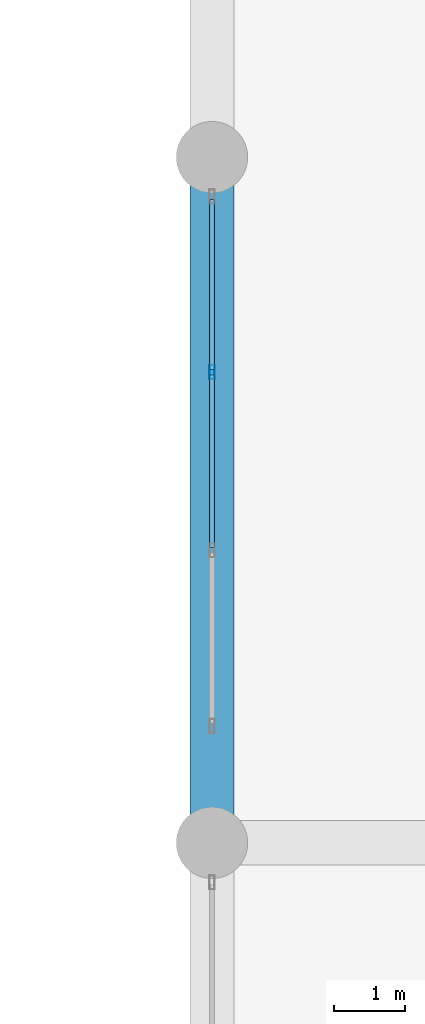
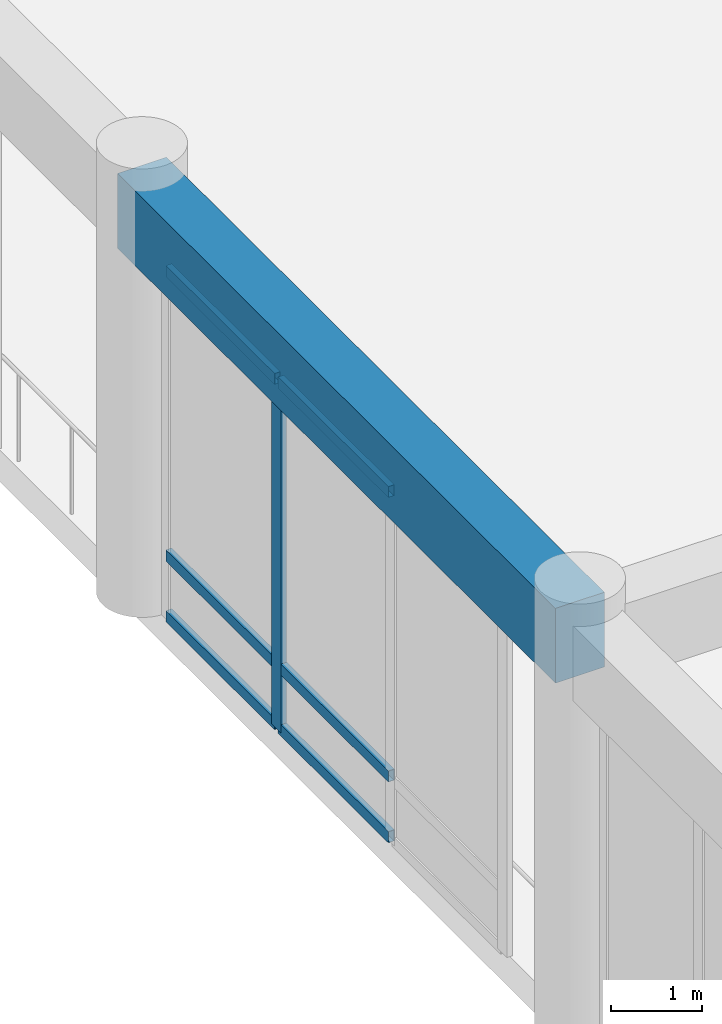
# One storey, part 26 of 87: 7 members, 1 beam, 1 element without a shape of its own.
"""IFC4 building model written with IfcOpenShell, lengths in metres."""

import ifcopenshell
import ifcopenshell.guid

model = None  # the IFC model being written
_history = None  # IfcOwnerHistory: only IFC2X3 demands one
_inside = {}  # id of a spatial element -> (the spatial element, [elements in it])
_under = {}  # id of a project, library or spatial element -> (it, [spatial elements below it])
_declared = {}  # id of a project -> (the project, [libraries it declares])
_typed = {}  # id of a type object -> (the type object, [elements of that type])
_made_of = {}  # id of a material, layer set ... -> (it, [elements and type objects made of it])


def new_model(schema):
    """Start an empty IFC model of exactly this schema.

    Asked for "IFC4X3", IfcOpenShell would pick the latest addendum, in which some entities
    have other attributes; the version numbers below select the first issue.
    IFC2X3 requires an IfcOwnerHistory on every rooted entity: one is made here for all.
    """
    global model, _history
    if schema == "IFC4X3":
        model = ifcopenshell.file(schema_version=(4, 3, 0, 0))
    else:
        model = ifcopenshell.file(schema=schema)
    _inside.clear()
    _under.clear()
    _declared.clear()
    _typed.clear()
    _made_of.clear()
    _history = None
    if model.schema == "IFC2X3":
        org = make("IfcOrganization", Name="unknown")
        user = make(
            "IfcPersonAndOrganization",
            ThePerson=make("IfcPerson", FamilyName="unknown"),
            TheOrganization=org,
        )
        app = make(
            "IfcApplication",
            ApplicationDeveloper=org,
            Version="unknown",
            ApplicationFullName="unknown",
            ApplicationIdentifier="unknown",
        )
        _history = make(
            "IfcOwnerHistory",
            OwningUser=user,
            OwningApplication=app,
            ChangeAction="ADDED",
            CreationDate=0,
        )
    return model


def make(cls, **values):
    """One entity of the class cls with the attributes given. An attribute that is None is left unset."""
    return model.create_entity(
        cls, **{name: value for name, value in values.items() if value is not None}
    )


def rooted(cls, **values):
    """An entity with a GlobalId (a new one), such as an element, a storey or a relation."""
    return make(cls, GlobalId=ifcopenshell.guid.new(), OwnerHistory=_history, **values)


def si_unit(unit_type, name, prefix=None):
    """IfcSIUnit, for example si_unit("LENGTHUNIT", "METRE", prefix="MILLI")."""
    return make("IfcSIUnit", UnitType=unit_type, Prefix=prefix, Name=name)


def assignment(units):
    """IfcUnitAssignment: the units of a project."""
    return None if units is None else make("IfcUnitAssignment", Units=units)


def point(xyz):
    """IfcCartesianPoint."""
    return None if xyz is None else make("IfcCartesianPoint", Coordinates=xyz)


def direction(xyz):
    """IfcDirection."""
    return None if xyz is None else make("IfcDirection", DirectionRatios=xyz)


def frame(location, z_axis=None, x_axis=None):
    """IfcAxis2Placement3D, a coordinate frame: its origin and axes. An axis left out is left unset."""
    return make(
        "IfcAxis2Placement3D",
        Location=point(location),
        Axis=direction(z_axis),
        RefDirection=direction(x_axis),
    )


def frame_2d(location, x_axis=None):
    """IfcAxis2Placement2D, a coordinate frame in the plane: its origin and x axis."""
    return make(
        "IfcAxis2Placement2D", Location=point(location), RefDirection=direction(x_axis)
    )


def origin():
    """The frame at (0, 0, 0) with its axes left unset."""
    return frame((0.0, 0.0, 0.0))


def origin_2d():
    """The frame at (0, 0) in the plane with its x axis left unset."""
    return frame_2d((0.0, 0.0))


def place(relative_to, where):
    """IfcLocalPlacement: puts the frame where relative to a parent placement (None: the world)."""
    return make(
        "IfcLocalPlacement", PlacementRelTo=relative_to, RelativePlacement=where
    )


def context(
    kind, dimensions, precision=None, world=None, true_north=None, identifier=None
):
    """IfcGeometricRepresentationContext, for example the 3D "Model" context."""
    return make(
        "IfcGeometricRepresentationContext",
        ContextIdentifier=identifier,
        ContextType=kind,
        CoordinateSpaceDimension=dimensions,
        Precision=precision,
        WorldCoordinateSystem=world,
        TrueNorth=true_north,
    )


def subcontext(parent, identifier, kind, view, scale=None):
    """IfcGeometricRepresentationSubContext, for example "Body" below "Model"."""
    return make(
        "IfcGeometricRepresentationSubContext",
        ContextIdentifier=identifier,
        ContextType=kind,
        ParentContext=parent,
        TargetScale=scale,
        TargetView=view,
    )


def project(units=None, contexts=None):
    """IfcProject with its units and contexts."""
    return rooted(
        "IfcProject",
        Name="project",
        RepresentationContexts=contexts,
        UnitsInContext=assignment(units),
    )


def spatial(cls, under=None, at=None, **own):
    """A site, building, storey or space (cls), placed at a placement, below another one or the project."""
    s = rooted(cls, ObjectPlacement=at, **own)
    if under is not None:
        _under.setdefault(under.id(), (under, []))[1].append(s)
    return s


def profile(cls, at=None, kind="AREA", **sizes):
    """A parametric profile (cls). Its sizes go by their IFC names, for example OverallWidth=200.0."""
    return make(cls, ProfileType=kind, Position=at, **sizes)


def rectangle(**sizes):
    """IfcRectangleProfileDef."""
    return profile("IfcRectangleProfileDef", **sizes)


def hollow_rectangle(**sizes):
    """IfcRectangleHollowProfileDef."""
    return profile("IfcRectangleHollowProfileDef", **sizes)


def extrude(swept, where, along, depth):
    """IfcExtrudedAreaSolid: the profile swept, set in the frame where, extruded along a direction by depth."""
    return make(
        "IfcExtrudedAreaSolid",
        SweptArea=swept,
        Position=where,
        ExtrudedDirection=direction(along),
        Depth=depth,
    )


def shape(context_of_items, identifier, shape_type, items):
    """IfcShapeRepresentation: the items that make up one representation, for example the "Body"."""
    return make(
        "IfcShapeRepresentation",
        ContextOfItems=context_of_items,
        RepresentationIdentifier=identifier,
        RepresentationType=shape_type,
        Items=items,
    )


def material(Name=None, Category=None):
    """IfcMaterial."""
    return make("IfcMaterial", Name=Name, Category=Category)


def layer(
    of_material, thickness, ventilated=None, Name=None, Category=None, Priority=None
):
    """IfcMaterialLayer: one layer of a wall or slab, of a material (None: an air gap)."""
    return make(
        "IfcMaterialLayer",
        Material=of_material,
        LayerThickness=thickness,
        IsVentilated=ventilated,
        Name=Name,
        Category=Category,
        Priority=Priority,
    )


def layer_set(layers, Name=None):
    """IfcMaterialLayerSet."""
    return make("IfcMaterialLayerSet", MaterialLayers=layers, LayerSetName=Name)


def material_profile(
    of_material, cross_section, Name=None, Category=None, Priority=None
):
    """IfcMaterialProfile: a cross section and its material."""
    return make(
        "IfcMaterialProfile",
        Name=Name,
        Material=of_material,
        Profile=cross_section,
        Priority=Priority,
        Category=Category,
    )


def profile_set(profiles, Name=None, composite=None):
    """IfcMaterialProfileSet."""
    return make(
        "IfcMaterialProfileSet",
        Name=Name,
        MaterialProfiles=profiles,
        CompositeProfile=composite,
    )


def made_of(thing, what):
    """Note that an element or type object is made of a material, layer set ...; save() writes the relation."""
    if what is not None:
        _made_of.setdefault(what.id(), (what, []))[1].append(thing)
    return thing


def type_object(cls, material=None, **own):
    """A type object (cls), such as IfcWallType, which elements share."""
    return made_of(rooted(cls, **own), material)


def element(
    cls,
    number,
    at=None,
    inside=None,
    cuts=None,
    type_object=None,
    material=None,
    context=None,
    identifier="Body",
    shape_type=None,
    held_by="IfcProductDefinitionShape",
    body=None,
    shapes=None,
    **own,
):
    """One element of the class cls, such as IfcWall. Its Tag is "e" and its number.

    at: its placement. inside: the storey or other place that contains it. cuts: it is an
    opening in that element (IfcRelVoidsElement). A single representation is given by context,
    identifier, shape_type and body (its items); several are given by shapes. held_by: the class
    of the entity that holds the representations. save() writes the other relations.
    """
    e = rooted(cls, Tag="e%d" % number, ObjectPlacement=at, **own)
    if body is not None:
        shapes = [shape(context, identifier, shape_type, body)]
    if shapes is not None:
        e.Representation = make(held_by, Representations=shapes)
    if inside is not None:
        _inside.setdefault(inside.id(), (inside, []))[1].append(e)
    if cuts is not None:
        rooted(
            "IfcRelVoidsElement", RelatingBuildingElement=cuts, RelatedOpeningElement=e
        )
    if type_object is not None:
        _typed.setdefault(type_object.id(), (type_object, []))[1].append(e)
    return made_of(e, material)


def aggregate(whole, parts):
    """IfcRelAggregates: a whole, such as a stair, and the parts it consists of."""
    return rooted("IfcRelAggregates", RelatingObject=whole, RelatedObjects=parts)


def save(model, path):
    """Write the relations noted so far, then the file.

    IfcRelAggregates (storeys below a building ...), IfcRelContainedInSpatialStructure (elements
    in a storey), IfcRelDefinesByType, IfcRelAssociatesMaterial and IfcRelDeclares: one each for
    every whole, place, type object, material and project.
    """
    for whole, parts in _under.values():
        aggregate(whole, parts)
    for where, things in _inside.values():
        rooted(
            "IfcRelContainedInSpatialStructure",
            RelatedElements=things,
            RelatingStructure=where,
        )
    for kind, things in _typed.values():
        rooted("IfcRelDefinesByType", RelatedObjects=things, RelatingType=kind)
    for what, things in _made_of.values():
        rooted("IfcRelAssociatesMaterial", RelatedObjects=things, RelatingMaterial=what)
    for by, libraries in _declared.values():
        rooted("IfcRelDeclares", RelatingContext=by, RelatedDefinitions=libraries)
    model.write(path)


model = new_model("IFC4")

# Units and contexts
model_context = context("Model", 3, precision=1e-05, world=origin(), true_north=direction((0.0, 1.0)))
body_context = subcontext(model_context, "Body", "Model", "MODEL_VIEW")
ifc_project = project(units=[si_unit("LENGTHUNIT", "METRE"), si_unit("AREAUNIT", "SQUARE_METRE"), si_unit("VOLUMEUNIT", "CUBIC_METRE"), si_unit("PLANEANGLEUNIT", "RADIAN"), si_unit("MASSUNIT", "GRAM", prefix="KILO")], contexts=[model_context])

# Site, building, storey
site_placement = place(None, origin())
site = spatial("IfcSite", under=ifc_project, at=site_placement, CompositionType="ELEMENT")
building_placement = place(site_placement, origin())
building = spatial("IfcBuilding", under=site, at=building_placement, Name="Nakhvara Creek Congress Hotel", CompositionType="ELEMENT")
storey_placement = place(building_placement, origin())
storey = spatial("IfcBuildingStorey", under=building, at=storey_placement, Name="L00", CompositionType="ELEMENT", Elevation=0.0)

# Beam
ifc_material_1 = material(Name="Concrete C50/60", Category="concrete")
ifc_material_profile_1 = material_profile(ifc_material_1, rectangle(XDim=0.6201171875, YDim=1.0, at=origin_2d()), Name="RC-BM 620x1000", Category="LoadBearing")
ifc_profile_set_1 = profile_set([ifc_material_profile_1], Name="Concrete C50/60")
beam_type = type_object("IfcBeamType", Name="BM-RC-620X1000", PredefinedType="BEAM", material=ifc_profile_set_1)
beam_placement = place(storey_placement, frame((124.800048828125, 52.800048828125, 5.199951171875), z_axis=(0.0, 1.0, 0.0), x_axis=(-1.0, 0.0, 0.0)))
element("IfcBeam", 1, at=beam_placement, inside=storey, type_object=beam_type, Name="Beam B16-L00-0893", PredefinedType="BEAM", context=body_context, shape_type="SweptSolid", body=[
    extrude(rectangle(XDim=0.6201171875, YDim=1.0, at=origin_2d()), origin(), (0.0, 0.0, 1.0), 9.599853515625),
])

# Curtain wall, members
ifc_material_2 = material(Name="Bronze-anodised aluminium AW-6063-T6 and double-silver low-E glass", Category="aluminium")
ifc_layer = layer(ifc_material_2, 0.199951171875)
ifc_layer_set = layer_set([ifc_layer], Name="Bronze-anodised aluminium AW-6063-T6 and double-silver low-E glass")
curtain_wall_type = type_object("IfcCurtainWallType", Name="CW-POD-STICK", PredefinedType="NOTDEFINED", material=ifc_layer_set)
curtain_wall_placement = place(storey_placement, origin())
curtain_wall = element("IfcCurtainWall", 2, at=curtain_wall_placement, inside=storey, type_object=curtain_wall_type, Name="Curtain Wall CW014", PredefinedType="NOTDEFINED")
ifc_material_3 = material(Name="Bronze-anodised aluminium AW-6063-T6", Category="aluminium")
ifc_material_profile_2 = material_profile(ifc_material_3, hollow_rectangle(XDim=0.074951171875, YDim=0.199951171875, WallThickness=0.0048828125, at=origin_2d()), Name="ALU-MULL 75x200x5", Category="LoadBearing")
ifc_profile_set_2 = profile_set([ifc_material_profile_2], Name="Bronze-anodised aluminium AW-6063-T6")
member_type_1 = type_object("IfcMemberType", Name="CW-MULL-200", PredefinedType="MULLION", material=ifc_profile_set_2)
member_1_placement = place(storey_placement, frame((124.800048828125, 59.389892578125, 0.0), z_axis=(0.0, 0.0, 1.0), x_axis=(-1.0, 0.0, 0.0)))
member_1 = element("IfcMember", 3, at=member_1_placement, type_object=member_type_1, Name="CW014 mullion 3", PredefinedType="MULLION", context=body_context, shape_type="SweptSolid", body=[
    extrude(hollow_rectangle(XDim=0.074951171875, YDim=0.199951171875, WallThickness=0.0048828125, at=origin_2d()), origin(), (0.0, 0.0, 1.0), 4.69189453125),
])
ifc_material_profile_3 = material_profile(ifc_material_3, hollow_rectangle(XDim=0.074951171875, YDim=0.14990234375, WallThickness=0.00390625, at=origin_2d()), Name="ALU-TRAN 75x150x4", Category="LoadBearing")
ifc_profile_set_3 = profile_set([ifc_material_profile_3], Name="Bronze-anodised aluminium AW-6063-T6")
member_type_2 = type_object("IfcMemberType", Name="CW-TRAN-150", PredefinedType="USERDEFINED", material=ifc_profile_set_3)
member_2_placement = place(storey_placement, frame((124.800048828125, 56.9326171875, 0.03759765625), z_axis=(0.0, 1.0, 0.0), x_axis=(-1.0, 0.0, 0.0)))
member_2 = element("IfcMember", 4, at=member_2_placement, type_object=member_type_2, Name="CW014 transom 2.1", ObjectType="TRANSOM", PredefinedType="USERDEFINED", context=body_context, shape_type="SweptSolid", body=[
    extrude(hollow_rectangle(XDim=0.074951171875, YDim=0.14990234375, WallThickness=0.00390625, at=origin_2d()), origin(), (0.0, 0.0, 1.0), 2.419921875),
])
member_3_placement = place(storey_placement, frame((124.800048828125, 56.9326171875, 0.85009765625), z_axis=(0.0, 1.0, 0.0), x_axis=(-1.0, 0.0, 0.0)))
member_3 = element("IfcMember", 5, at=member_3_placement, type_object=member_type_2, Name="CW014 transom 2.2", ObjectType="TRANSOM", PredefinedType="USERDEFINED", context=body_context, shape_type="SweptSolid", body=[
    extrude(hollow_rectangle(XDim=0.074951171875, YDim=0.14990234375, WallThickness=0.00390625, at=origin_2d()), origin(), (0.0, 0.0, 1.0), 2.419921875),
])
member_4_placement = place(storey_placement, frame((124.800048828125, 56.9326171875, 4.654541015625), z_axis=(0.0, 1.0, 0.0), x_axis=(-1.0, 0.0, 0.0)))
member_4 = element("IfcMember", 6, at=member_4_placement, type_object=member_type_2, Name="CW014 transom 2.3", ObjectType="TRANSOM", PredefinedType="USERDEFINED", context=body_context, shape_type="SweptSolid", body=[
    extrude(hollow_rectangle(XDim=0.074951171875, YDim=0.14990234375, WallThickness=0.00390625, at=origin_2d()), origin(), (0.0, 0.0, 1.0), 2.419921875),
])
member_5_placement = place(storey_placement, frame((124.800048828125, 59.427490234375, 0.03759765625), z_axis=(0.0, 1.0, 0.0), x_axis=(-1.0, 0.0, 0.0)))
member_5 = element("IfcMember", 7, at=member_5_placement, type_object=member_type_2, Name="CW014 transom 3.1", ObjectType="TRANSOM", PredefinedType="USERDEFINED", context=body_context, shape_type="SweptSolid", body=[
    extrude(hollow_rectangle(XDim=0.074951171875, YDim=0.14990234375, WallThickness=0.00390625, at=origin_2d()), origin(), (0.0, 0.0, 1.0), 2.382568359375),
])
member_6_placement = place(storey_placement, frame((124.800048828125, 59.427490234375, 0.85009765625), z_axis=(0.0, 1.0, 0.0), x_axis=(-1.0, 0.0, 0.0)))
member_6 = element("IfcMember", 8, at=member_6_placement, type_object=member_type_2, Name="CW014 transom 3.2", ObjectType="TRANSOM", PredefinedType="USERDEFINED", context=body_context, shape_type="SweptSolid", body=[
    extrude(hollow_rectangle(XDim=0.074951171875, YDim=0.14990234375, WallThickness=0.00390625, at=origin_2d()), origin(), (0.0, 0.0, 1.0), 2.382568359375),
])
member_7_placement = place(storey_placement, frame((124.800048828125, 59.427490234375, 4.654541015625), z_axis=(0.0, 1.0, 0.0), x_axis=(-1.0, 0.0, 0.0)))
member_7 = element("IfcMember", 9, at=member_7_placement, type_object=member_type_2, Name="CW014 transom 3.3", ObjectType="TRANSOM", PredefinedType="USERDEFINED", context=body_context, shape_type="SweptSolid", body=[
    extrude(hollow_rectangle(XDim=0.074951171875, YDim=0.14990234375, WallThickness=0.00390625, at=origin_2d()), origin(), (0.0, 0.0, 1.0), 2.382568359375),
])
aggregate(curtain_wall, [member_1, member_2, member_3, member_4, member_5, member_6, member_7])

save(model, "model.ifc")
